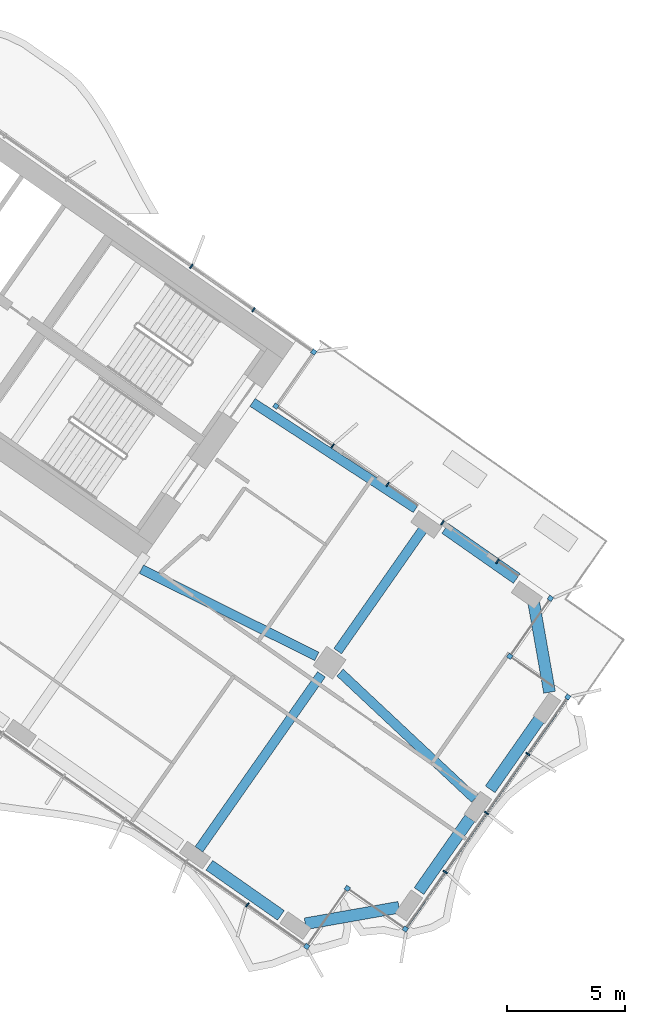
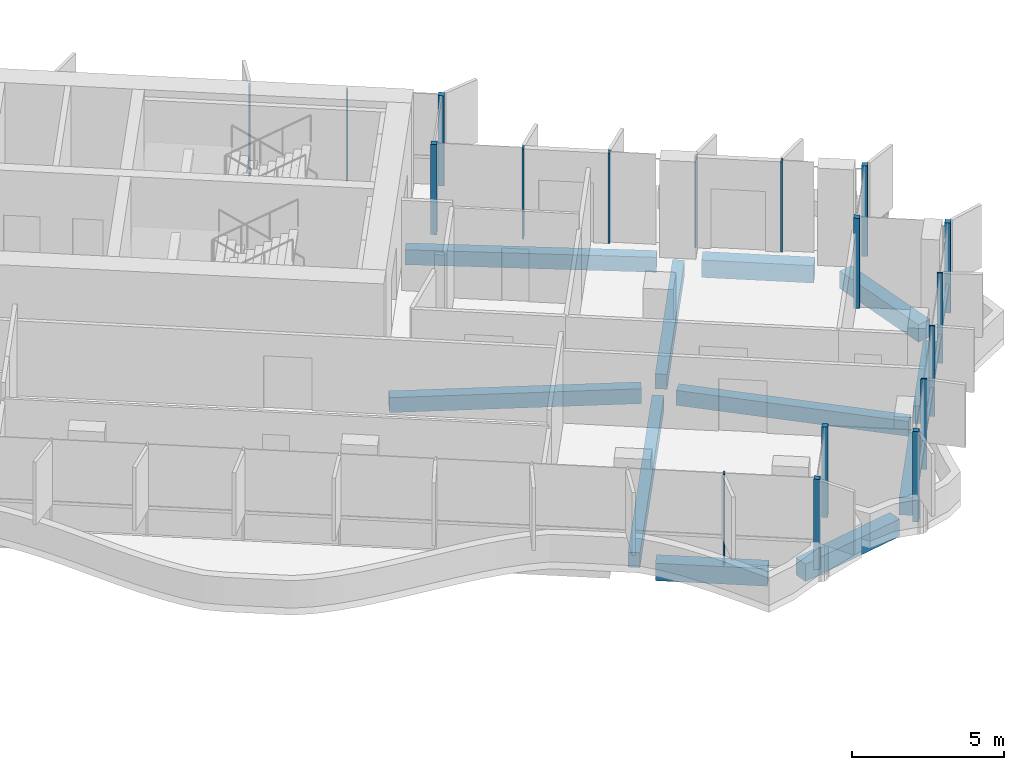
# One storey, part 9 of 24: 19 members, 11 beams, 6 elements without a shape of their own.
"""IFC4 building model written with IfcOpenShell, lengths in metres."""

from ifc_helpers import new_model, si_unit, direction, frame, origin, origin_2d, place, context, subcontext, project, spatial, rectangle, extrude, material, material_profile, profile_set, type_object, element, aggregate, save


model = new_model("IFC4")

# Units and contexts
model_context = context("Model", 3, precision=1e-05, world=origin(), true_north=direction((0.0, 1.0)))
body_context = subcontext(model_context, "Body", "Model", "MODEL_VIEW")
ifc_project = project(units=[si_unit("LENGTHUNIT", "METRE"), si_unit("AREAUNIT", "SQUARE_METRE"), si_unit("VOLUMEUNIT", "CUBIC_METRE"), si_unit("PLANEANGLEUNIT", "RADIAN"), si_unit("MASSUNIT", "GRAM", prefix="KILO")], contexts=[model_context])

# Site, building, storey
site_placement = place(None, origin())
site = spatial("IfcSite", under=ifc_project, at=site_placement, CompositionType="ELEMENT")
building_placement = place(site_placement, origin())
building = spatial("IfcBuilding", under=site, at=building_placement, Name="Tel Ilan Convention Tower", CompositionType="ELEMENT")
storey_placement = place(building_placement, frame((0.0, 0.0, 132.0)))
storey = spatial("IfcBuildingStorey", under=building, at=storey_placement, Name="L29", CompositionType="ELEMENT", Elevation=132.0)

# Beams
ifc_material_1 = material(Name="Concrete C40/50", Category="concrete")
ifc_material_profile_1 = material_profile(ifc_material_1, rectangle(XDim=0.39990234375, YDim=0.60009765625, at=origin_2d()), Name="RC 400x600")
ifc_profile_set_1 = profile_set([ifc_material_profile_1], Name="Concrete C40/50")
beam_type_1 = type_object("IfcBeamType", Name="Beam RC 400x600 Concrete C40/50", PredefinedType="BEAM", material=ifc_profile_set_1)
beam_1_placement = place(storey_placement, frame((33.145263671875, -14.1201171875, -0.580078125), z_axis=(-0.838428074672, 0.545012260047, 0.0), x_axis=(-0.545012260047, -0.838428074672, 0.0)))
element("IfcBeam", 1, at=beam_1_placement, inside=storey, type_object=beam_type_1, Name="L29 beam E-E-B4-core", PredefinedType="BEAM", context=body_context, shape_type="SweptSolid", body=[
    extrude(rectangle(XDim=0.39990234375, YDim=0.60009765625, at=origin_2d()), origin(), (0.0, 0.0, 1.0), 8.2548828125),
])
beam_2_placement = place(storey_placement, frame((21.52099609375, -16.686279296875, -0.580078125), z_axis=(0.895402478384, -0.445257680117, 0.0), x_axis=(0.445257680117, 0.895402478384, 0.0)))
element("IfcBeam", 2, at=beam_2_placement, inside=storey, type_object=beam_type_1, Name="L29 beam E-core-E-M4", PredefinedType="BEAM", context=body_context, shape_type="SweptSolid", body=[
    extrude(rectangle(XDim=0.39990234375, YDim=0.60009765625, at=origin_2d()), origin(), (0.0, 0.0, 1.0), 8.292724609375),
])
beam_3_placement = place(storey_placement, frame((29.931640625, -21.063232421875, -0.580078125), z_axis=(0.729504139822, -0.683976395779, 0.0), x_axis=(0.683976395779, 0.729504139822, 0.0)))
element("IfcBeam", 3, at=beam_3_placement, inside=storey, type_object=beam_type_1, Name="L29 beam E-E-M4-end", PredefinedType="BEAM", context=body_context, shape_type="SweptSolid", body=[
    extrude(rectangle(XDim=0.39990234375, YDim=0.60009765625, at=origin_2d()), origin(), (0.0, 0.0, 1.0), 7.8291015625),
])
beam_4_placement = place(storey_placement, frame((29.145263671875, -21.14013671875, -0.580078125), z_axis=(-0.573549245583, -0.819171082798, 0.0), x_axis=(0.819171082798, -0.573549245583, 0.0)))
element("IfcBeam", 4, at=beam_4_placement, inside=storey, type_object=beam_type_1, Name="L29 beam E-E-M4-E-F4", PredefinedType="BEAM", context=body_context, shape_type="SweptSolid", body=[
    extrude(rectangle(XDim=0.39990234375, YDim=0.60009765625, at=origin_2d()), origin(), (0.0, 0.0, 1.0), 9.050048828125),
])
beam_5_placement = place(storey_placement, frame((29.83349609375, -20.1572265625, -0.580078125), z_axis=(0.573582036438, 0.819148123037, 0.0), x_axis=(-0.819148123037, 0.573582036438, 0.0)))
element("IfcBeam", 5, at=beam_5_placement, inside=storey, type_object=beam_type_1, Name="L29 beam E-E-M4-E-B4", PredefinedType="BEAM", context=body_context, shape_type="SweptSolid", body=[
    extrude(rectangle(XDim=0.39990234375, YDim=0.60009765625, at=origin_2d()), origin(), (0.0, 0.0, 1.0), 6.570556640625),
])
ifc_material_2 = material(Name="Concrete C40/50", Category="concrete")
ifc_material_profile_2 = material_profile(ifc_material_2, rectangle(XDim=0.5, YDim=0.699951171875, at=origin_2d()), Name="RC 500x700")
ifc_profile_set_2 = profile_set([ifc_material_profile_2], Name="Concrete C40/50")
beam_type_2 = type_object("IfcBeamType", Name="Beam RC 500x700 Concrete C40/50", PredefinedType="BEAM", material=ifc_profile_set_2)
beam_6_placement = place(storey_placement, frame((24.396728515625, -29.2294921875, -0.6298828125), z_axis=(0.819132709951, -0.573604047656, 0.0), x_axis=(0.573604047656, 0.819132709951, 0.0)))
element("IfcBeam", 6, at=beam_6_placement, inside=storey, type_object=beam_type_2, Name="L29 beam E-E-F4-E-FC", PredefinedType="BEAM", context=body_context, shape_type="SweptSolid", body=[
    extrude(rectangle(XDim=0.5, YDim=0.699951171875, at=origin_2d()), origin(), (0.0, 0.0, 1.0), 3.699951171875),
])
beam_7_placement = place(storey_placement, frame((28.459716796875, -31.708251953125, -0.6298828125), z_axis=(0.984806721117, 0.173654029734, 0.0), x_axis=(-0.173654029734, 0.984806721117, 0.0)))
element("IfcBeam", 7, at=beam_7_placement, inside=storey, type_object=beam_type_2, Name="L29 beam E-E-FC-E-E1", PredefinedType="BEAM", context=body_context, shape_type="SweptSolid", body=[
    extrude(rectangle(XDim=0.5, YDim=0.699951171875, at=origin_2d()), origin(), (0.0, 0.0, 1.0), 4.03076171875),
])
beam_8_placement = place(storey_placement, frame((33.277099609375, -30.3203125, -0.6298828125), z_axis=(0.57355384684, 0.819167861171, 0.0), x_axis=(-0.819167861171, 0.57355384684, 0.0)))
element("IfcBeam", 8, at=beam_8_placement, inside=storey, type_object=beam_type_2, Name="L29 beam E-E-E1-E-E2", PredefinedType="BEAM", context=body_context, shape_type="SweptSolid", body=[
    extrude(rectangle(XDim=0.5, YDim=0.699951171875, at=origin_2d()), origin(), (0.0, 0.0, 1.0), 3.76025390625),
])
beam_9_placement = place(storey_placement, frame((36.294189453125, -26.01123046875, -0.6298828125), z_axis=(0.573597411904, 0.819137356649, 0.0), x_axis=(-0.819137356649, 0.573597411904, 0.0)))
element("IfcBeam", 9, at=beam_9_placement, inside=storey, type_object=beam_type_2, Name="L29 beam E-E-E2-E-E3", PredefinedType="BEAM", context=body_context, shape_type="SweptSolid", body=[
    extrude(rectangle(XDim=0.5, YDim=0.699951171875, at=origin_2d()), origin(), (0.0, 0.0, 1.0), 3.760498046875),
])
beam_10_placement = place(storey_placement, frame((38.8076171875, -21.898681640625, -0.6298828125), z_axis=(-0.173605641124, 0.984815252405, 0.0), x_axis=(-0.984815252405, -0.173605641124, 0.0)))
element("IfcBeam", 10, at=beam_10_placement, inside=storey, type_object=beam_type_2, Name="L29 beam E-E-E3-E-BC", PredefinedType="BEAM", context=body_context, shape_type="SweptSolid", body=[
    extrude(rectangle(XDim=0.5, YDim=0.699951171875, at=origin_2d()), origin(), (0.0, 0.0, 1.0), 4.030517578125),
])
beam_11_placement = place(storey_placement, frame((37.419677734375, -17.08154296875, -0.6298828125), z_axis=(-0.819132709951, 0.573604047656, 0.0), x_axis=(-0.573604047656, -0.819132709951, 0.0)))
element("IfcBeam", 11, at=beam_11_placement, inside=storey, type_object=beam_type_2, Name="L29 beam E-E-BC-E-B4", PredefinedType="BEAM", context=body_context, shape_type="SweptSolid", body=[
    extrude(rectangle(XDim=0.5, YDim=0.699951171875, at=origin_2d()), origin(), (0.0, 0.0, 1.0), 3.699951171875),
])

# Curtain wall, member
ifc_material_3 = material(Name="Aluminium, bronze anodised", Category="aluminium")
curtain_wall_type_1 = type_object("IfcCurtainWallType", Name="CW4 STICK CURTAIN WALL, OFFICE TINTED GLASS", PredefinedType="NOTDEFINED", material=ifc_material_3)
curtain_wall_1_placement = place(storey_placement, origin())
curtain_wall_1 = element("IfcCurtainWall", 12, at=curtain_wall_1_placement, inside=storey, type_object=curtain_wall_type_1, Name="Curtain wall CW4-23.04", PredefinedType="NOTDEFINED")
ifc_material_4 = material(Name="Aluminium, bronze anodised", Category="aluminium")
ifc_material_profile_3 = material_profile(ifc_material_4, rectangle(XDim=0.199951171875, YDim=0.199951171875, at=origin_2d()), Name="CW CORNER MULLION 200x200")
ifc_profile_set_3 = profile_set([ifc_material_profile_3], Name="Aluminium, bronze anodised")
member_type_1 = type_object("IfcMemberType", Name="CW CORNER MULLION 200x200", PredefinedType="MULLION", material=ifc_profile_set_3)
member_1_placement = place(storey_placement, frame((27.213623046875, -9.77734375, 0.0), z_axis=(0.0, 0.0, 1.0), x_axis=(-0.819152044289, 0.573576436351, 0.0)))
member_1 = element("IfcMember", 13, at=member_1_placement, type_object=member_type_1, Name="Corner mullion", PredefinedType="MULLION", context=body_context, shape_type="SweptSolid", body=[
    extrude(rectangle(XDim=0.199951171875, YDim=0.199951171875, at=origin_2d()), origin(), (0.0, 0.0, 1.0), 3.6201171875),
])
aggregate(curtain_wall_1, [member_1])

ifc_material_5 = material(Name="Aluminium, bronze anodised", Category="aluminium")
curtain_wall_type_2 = type_object("IfcCurtainWallType", Name="CW2 STICK CURTAIN WALL, SPANDREL PANELS", PredefinedType="NOTDEFINED", material=ifc_material_5)
curtain_wall_2_placement = place(storey_placement, origin())
curtain_wall_2 = element("IfcCurtainWall", 14, at=curtain_wall_2_placement, inside=storey, type_object=curtain_wall_type_2, Name="Curtain wall CW2-23.05", PredefinedType="NOTDEFINED")
member_2_placement = place(storey_placement, frame((28.819580078125, -7.483642578125, 0.0), z_axis=(0.0, 0.0, 1.0), x_axis=(0.573576436351, 0.819152044289, 0.0)))
member_2 = element("IfcMember", 15, at=member_2_placement, type_object=member_type_1, Name="Corner mullion", PredefinedType="MULLION", context=body_context, shape_type="SweptSolid", body=[
    extrude(rectangle(XDim=0.199951171875, YDim=0.199951171875, at=origin_2d()), origin(), (0.0, 0.0, 1.0), 3.6201171875),
])

# Curtain wall, members
curtain_wall_3_placement = place(storey_placement, origin())
curtain_wall_3 = element("IfcCurtainWall", 16, at=curtain_wall_3_placement, inside=storey, type_object=curtain_wall_type_1, Name="Curtain wall CW4-23.10", PredefinedType="NOTDEFINED")
member_3_placement = place(storey_placement, frame((28.52099609375, -32.666748046875, 0.0), z_axis=(0.0, 0.0, 1.0), x_axis=(0.819152044289, -0.573576436351, 0.0)))
member_3 = element("IfcMember", 17, at=member_3_placement, type_object=member_type_1, Name="Corner mullion", PredefinedType="MULLION", context=body_context, shape_type="SweptSolid", body=[
    extrude(rectangle(XDim=0.199951171875, YDim=0.199951171875, at=origin_2d()), origin(), (0.0, 0.0, 1.0), 3.6201171875),
])
member_4_placement = place(storey_placement, frame((30.241943359375, -30.209228515625, 0.0), z_axis=(0.0, 0.0, 1.0), x_axis=(0.573576436351, 0.819152044289, 0.0)))
member_4 = element("IfcMember", 18, at=member_4_placement, type_object=member_type_1, Name="Corner mullion", PredefinedType="MULLION", context=body_context, shape_type="SweptSolid", body=[
    extrude(rectangle(XDim=0.199951171875, YDim=0.199951171875, at=origin_2d()), origin(), (0.0, 0.0, 1.0), 3.6201171875),
])
member_5_placement = place(storey_placement, frame((32.69921875, -31.929931640625, 0.0), z_axis=(0.0, 0.0, 1.0), x_axis=(0.819152044289, -0.573576436351, 0.0)))
member_5 = element("IfcMember", 19, at=member_5_placement, type_object=member_type_1, Name="Corner mullion", PredefinedType="MULLION", context=body_context, shape_type="SweptSolid", body=[
    extrude(rectangle(XDim=0.199951171875, YDim=0.199951171875, at=origin_2d()), origin(), (0.0, 0.0, 1.0), 3.6201171875),
])
member_6_placement = place(storey_placement, frame((39.582275390625, -22.10009765625, 0.0), z_axis=(0.0, 0.0, 1.0), x_axis=(0.573576436351, 0.819152044289, 0.0)))
member_6 = element("IfcMember", 20, at=member_6_placement, type_object=member_type_1, Name="Corner mullion", PredefinedType="MULLION", context=body_context, shape_type="SweptSolid", body=[
    extrude(rectangle(XDim=0.199951171875, YDim=0.199951171875, at=origin_2d()), origin(), (0.0, 0.0, 1.0), 3.6201171875),
])
member_7_placement = place(storey_placement, frame((37.124755859375, -20.37939453125, 0.0), z_axis=(0.0, 0.0, 1.0), x_axis=(-0.819152044289, 0.573576436351, 0.0)))
member_7 = element("IfcMember", 21, at=member_7_placement, type_object=member_type_1, Name="Corner mullion", PredefinedType="MULLION", context=body_context, shape_type="SweptSolid", body=[
    extrude(rectangle(XDim=0.199951171875, YDim=0.199951171875, at=origin_2d()), origin(), (0.0, 0.0, 1.0), 3.6201171875),
])
member_8_placement = place(storey_placement, frame((38.845458984375, -17.922119140625, 0.0), z_axis=(0.0, 0.0, 1.0), x_axis=(0.573576436351, 0.819152044289, 0.0)))
member_8 = element("IfcMember", 22, at=member_8_placement, type_object=member_type_1, Name="Corner mullion", PredefinedType="MULLION", context=body_context, shape_type="SweptSolid", body=[
    extrude(rectangle(XDim=0.199951171875, YDim=0.199951171875, at=origin_2d()), origin(), (0.0, 0.0, 1.0), 3.6201171875),
])

curtain_wall_4_placement = place(storey_placement, origin())
curtain_wall_4 = element("IfcCurtainWall", 23, at=curtain_wall_4_placement, inside=storey, type_object=curtain_wall_type_1, Name="Curtain wall CW4-23.01", PredefinedType="NOTDEFINED")
ifc_material_6 = material(Name="Aluminium, bronze anodised", Category="aluminium")
ifc_material_profile_4 = material_profile(ifc_material_6, rectangle(XDim=0.06005859375, YDim=0.199951171875, at=origin_2d()), Name="CW MULLION 60x200")
ifc_profile_set_4 = profile_set([ifc_material_profile_4], Name="Aluminium, bronze anodised")
member_type_2 = type_object("IfcMemberType", Name="CW MULLION 60x200", PredefinedType="MULLION", material=ifc_profile_set_4)
member_9_placement = place(storey_placement, frame((36.60107421875, -16.350341796875, 0.0), z_axis=(0.0, 0.0, 1.0), x_axis=(-0.819152044289, 0.573576436351, 0.0)))
member_9 = element("IfcMember", 24, at=member_9_placement, type_object=member_type_2, Name="Mullion", PredefinedType="MULLION", context=body_context, shape_type="SweptSolid", body=[
    extrude(rectangle(XDim=0.06005859375, YDim=0.199951171875, at=origin_2d()), origin(), (0.0, 0.0, 1.0), 3.6201171875),
])
member_10_placement = place(storey_placement, frame((34.274658203125, -14.721435546875, 0.0), z_axis=(0.0, 0.0, 1.0), x_axis=(-0.819152044289, 0.573576436351, 0.0)))
member_10 = element("IfcMember", 25, at=member_10_placement, type_object=member_type_2, Name="Mullion", PredefinedType="MULLION", context=body_context, shape_type="SweptSolid", body=[
    extrude(rectangle(XDim=0.06005859375, YDim=0.199951171875, at=origin_2d()), origin(), (0.0, 0.0, 1.0), 3.6201171875),
])
aggregate(curtain_wall_4, [member_9, member_10])

# Curtain wall, member
curtain_wall_5_placement = place(storey_placement, origin())
curtain_wall_5 = element("IfcCurtainWall", 26, at=curtain_wall_5_placement, inside=storey, type_object=curtain_wall_type_1, Name="Curtain wall CW4-23.02", PredefinedType="NOTDEFINED")
member_11_placement = place(storey_placement, frame((31.9482421875, -13.092529296875, 0.0), z_axis=(0.0, 0.0, 1.0), x_axis=(-0.819152044289, 0.573576436351, 0.0)))
member_11 = element("IfcMember", 27, at=member_11_placement, type_object=member_type_2, Name="Mullion", PredefinedType="MULLION", context=body_context, shape_type="SweptSolid", body=[
    extrude(rectangle(XDim=0.06005859375, YDim=0.199951171875, at=origin_2d()), origin(), (0.0, 0.0, 1.0), 3.6201171875),
])
aggregate(curtain_wall_5, [member_11])

curtain_wall_6_placement = place(storey_placement, origin())
curtain_wall_6 = element("IfcCurtainWall", 28, at=curtain_wall_6_placement, inside=storey, type_object=curtain_wall_type_1, Name="Curtain wall CW4-23.03", PredefinedType="NOTDEFINED")
member_12_placement = place(storey_placement, frame((29.621826171875, -11.463623046875, 0.0), z_axis=(0.0, 0.0, 1.0), x_axis=(-0.819152044289, 0.573576436351, 0.0)))
member_12 = element("IfcMember", 29, at=member_12_placement, type_object=member_type_2, Name="Mullion", PredefinedType="MULLION", context=body_context, shape_type="SweptSolid", body=[
    extrude(rectangle(XDim=0.06005859375, YDim=0.199951171875, at=origin_2d()), origin(), (0.0, 0.0, 1.0), 3.6201171875),
])
aggregate(curtain_wall_6, [member_12])

# Member
member_13_placement = place(storey_placement, frame((26.268798828125, -5.697509765625, 0.0), z_axis=(0.0, 0.0, 1.0), x_axis=(-0.819152044289, 0.573576436351, 0.0)))
member_13 = element("IfcMember", 30, at=member_13_placement, type_object=member_type_2, Name="Mullion", PredefinedType="MULLION", context=body_context, shape_type="SweptSolid", body=[
    extrude(rectangle(XDim=0.06005859375, YDim=0.199951171875, at=origin_2d()), origin(), (0.0, 0.0, 1.0), 3.6201171875),
])

member_14_placement = place(storey_placement, frame((23.63623046875, -3.854248046875, 0.0), z_axis=(0.0, 0.0, 1.0), x_axis=(-0.819152044289, 0.573576436351, 0.0)))
member_14 = element("IfcMember", 31, at=member_14_placement, type_object=member_type_2, Name="Mullion", PredefinedType="MULLION", context=body_context, shape_type="SweptSolid", body=[
    extrude(rectangle(XDim=0.06005859375, YDim=0.199951171875, at=origin_2d()), origin(), (0.0, 0.0, 1.0), 3.6201171875),
])

aggregate(curtain_wall_2, [member_2, member_13, member_14])

member_15_placement = place(storey_placement, frame((26.008056640625, -30.906982421875, 0.0), z_axis=(0.0, 0.0, 1.0), x_axis=(0.819152044289, -0.573576436351, 0.0)))
member_15 = element("IfcMember", 32, at=member_15_placement, type_object=member_type_2, Name="Mullion", PredefinedType="MULLION", context=body_context, shape_type="SweptSolid", body=[
    extrude(rectangle(XDim=0.06005859375, YDim=0.199951171875, at=origin_2d()), origin(), (0.0, 0.0, 1.0), 3.6201171875),
])

member_16_placement = place(storey_placement, frame((34.391357421875, -29.513427734375, 0.0), z_axis=(0.0, 0.0, 1.0), x_axis=(0.573576436351, 0.819152044289, 0.0)))
member_16 = element("IfcMember", 33, at=member_16_placement, type_object=member_type_2, Name="Mullion", PredefinedType="MULLION", context=body_context, shape_type="SweptSolid", body=[
    extrude(rectangle(XDim=0.06005859375, YDim=0.199951171875, at=origin_2d()), origin(), (0.0, 0.0, 1.0), 3.6201171875),
])

member_17_placement = place(storey_placement, frame((36.140869140625, -27.01513671875, 0.0), z_axis=(0.0, 0.0, 1.0), x_axis=(0.573576436351, 0.819152044289, 0.0)))
member_17 = element("IfcMember", 34, at=member_17_placement, type_object=member_type_2, Name="Mullion", PredefinedType="MULLION", context=body_context, shape_type="SweptSolid", body=[
    extrude(rectangle(XDim=0.06005859375, YDim=0.199951171875, at=origin_2d()), origin(), (0.0, 0.0, 1.0), 3.6201171875),
])

member_18_placement = place(storey_placement, frame((37.89013671875, -24.5166015625, 0.0), z_axis=(0.0, 0.0, 1.0), x_axis=(0.573576436351, 0.819152044289, 0.0)))
member_18 = element("IfcMember", 35, at=member_18_placement, type_object=member_type_2, Name="Mullion", PredefinedType="MULLION", context=body_context, shape_type="SweptSolid", body=[
    extrude(rectangle(XDim=0.06005859375, YDim=0.199951171875, at=origin_2d()), origin(), (0.0, 0.0, 1.0), 3.6201171875),
])

ifc_material_7 = material(Name="Aluminium, bronze anodised", Category="aluminium")
ifc_material_profile_5 = material_profile(ifc_material_7, rectangle(XDim=0.10009765625, YDim=0.1201171875, at=origin_2d()), Name="CW TRANSOM 100x120")
ifc_profile_set_5 = profile_set([ifc_material_profile_5], Name="Aluminium, bronze anodised")
member_type_3 = type_object("IfcMemberType", Name="CW TRANSOM 100x120", PredefinedType="USERDEFINED", material=ifc_profile_set_5)
member_19_placement = place(storey_placement, frame((32.756591796875, -31.84814453125, 1.10009765625), z_axis=(0.573581755582, 0.819148319698, 0.0), x_axis=(-0.819148319698, 0.573581755582, 0.0)))
member_19 = element("IfcMember", 36, at=member_19_placement, type_object=member_type_3, Name="Transom", ObjectType="TRANSOM", PredefinedType="USERDEFINED", context=body_context, shape_type="SweptSolid", body=[
    extrude(rectangle(XDim=0.10009765625, YDim=0.1201171875, at=origin_2d()), origin(), (0.0, 0.0, 1.0), 11.800048828125),
])

aggregate(curtain_wall_3, [member_15, member_3, member_4, member_5, member_16, member_17, member_18, member_6, member_19, member_7, member_8])

save(model, "model.ifc")
